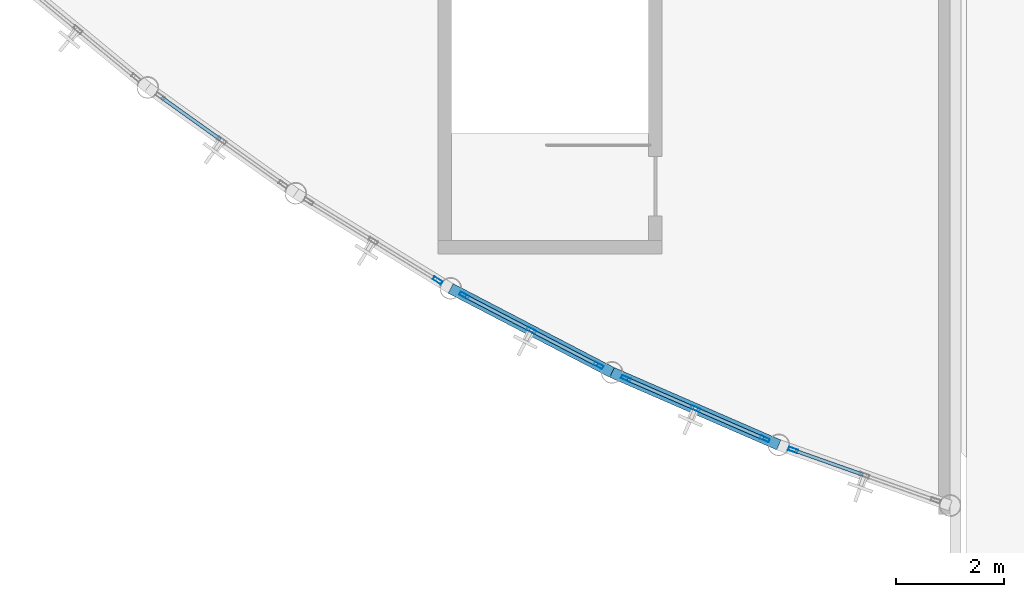
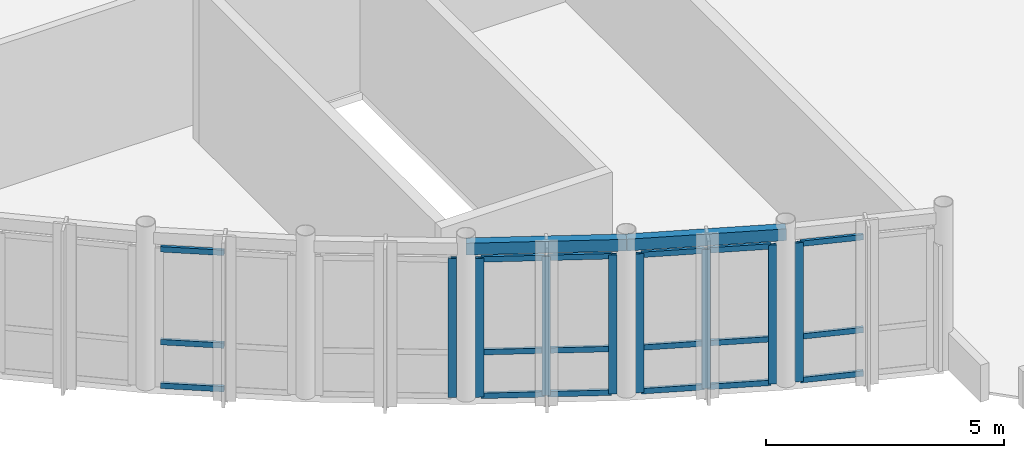
# One storey, part 13 of 54: 26 members, 2 beams, 5 elements without a shape of their own.
"""IFC4 building model written with IfcOpenShell, lengths in metres."""

from ifc_helpers import new_model, si_unit, direction, frame, origin, origin_2d, place, context, subcontext, project, spatial, hollow_rectangle, extrude, material, layer, layer_set, material_profile, profile_set, type_object, element, aggregate, save


model = new_model("IFC4")

# Units and contexts
model_context = context("Model", 3, precision=1e-05, world=origin(), true_north=direction((0.0, 1.0)))
body_context = subcontext(model_context, "Body", "Model", "MODEL_VIEW")
ifc_project = project(units=[si_unit("LENGTHUNIT", "METRE"), si_unit("AREAUNIT", "SQUARE_METRE"), si_unit("VOLUMEUNIT", "CUBIC_METRE"), si_unit("PLANEANGLEUNIT", "RADIAN"), si_unit("MASSUNIT", "GRAM", prefix="KILO")], contexts=[model_context])

# Site, building, storey
site_placement = place(None, origin())
site = spatial("IfcSite", under=ifc_project, at=site_placement, CompositionType="ELEMENT")
building_placement = place(site_placement, origin())
building = spatial("IfcBuilding", under=site, at=building_placement, Name="Selat Folded Stagehouse", CompositionType="ELEMENT")
storey_placement = place(building_placement, frame((0.0, 0.0, 15.0)))
storey = spatial("IfcBuildingStorey", under=building, at=storey_placement, Name="L03", CompositionType="ELEMENT", Elevation=15.0)

# Curtain wall, member
ifc_material_1 = material(Name="Aluminium 6063-T6", Category="aluminium")
ifc_layer = layer(ifc_material_1, 0.18505859375)
ifc_layer_set = layer_set([ifc_layer], Name="Aluminium 6063-T6")
curtain_wall_type = type_object("IfcCurtainWallType", Name="CW-DRM-UPPER", PredefinedType="NOTDEFINED", material=ifc_layer_set)
curtain_wall_1_placement = place(storey_placement, origin())
curtain_wall_1 = element("IfcCurtainWall", 1, at=curtain_wall_1_placement, inside=storey, type_object=curtain_wall_type, Name="L03 curtain wall CW-DRM-L03-16", PredefinedType="NOTDEFINED")
ifc_material_profile_1 = material_profile(ifc_material_1, hollow_rectangle(XDim=0.06494140625, YDim=0.179931640625, WallThickness=0.00390625, at=origin_2d()), Name="ALU 180x65x4.0")
ifc_profile_set_1 = profile_set([ifc_material_profile_1], Name="Aluminium 6063-T6")
member_type_1 = type_object("IfcMemberType", Name="CWM-MUL-180x65", PredefinedType="MULLION", material=ifc_profile_set_1)
member_1_placement = place(storey_placement, frame((24.10498046875, 6.380859375, 0.0), z_axis=(0.0, 0.0, 1.0), x_axis=(-0.523025427755, -0.852317078277, 0.0)))
member_1 = element("IfcMember", 2, at=member_1_placement, type_object=member_type_1, Name="CW-03 mullion 1", PredefinedType="MULLION", context=body_context, shape_type="SweptSolid", body=[
    extrude(hollow_rectangle(XDim=0.06494140625, YDim=0.179931640625, WallThickness=0.00390625, at=origin_2d()), origin(), (0.0, 0.0, 1.0), 3.56005859375),
])
aggregate(curtain_wall_1, [member_1])

# Curtain wall, members
curtain_wall_2_placement = place(storey_placement, origin())
curtain_wall_2 = element("IfcCurtainWall", 3, at=curtain_wall_2_placement, inside=storey, type_object=curtain_wall_type, Name="L03 curtain wall CW-DRM-L03-17", PredefinedType="NOTDEFINED")
member_2_placement = place(storey_placement, frame((27.083251953125, 4.80712890625, 0.0), z_axis=(0.0, 0.0, 1.0), x_axis=(-0.461930991659, -0.886915869147, 0.0)))
member_2 = element("IfcMember", 4, at=member_2_placement, type_object=member_type_1, Name="CW-03 mullion 1", PredefinedType="MULLION", context=body_context, shape_type="SweptSolid", body=[
    extrude(hollow_rectangle(XDim=0.06494140625, YDim=0.179931640625, WallThickness=0.00390625, at=origin_2d()), origin(), (0.0, 0.0, 1.0), 3.56005859375),
])
member_3_placement = place(storey_placement, frame((25.83984375, 5.454833984375, 0.0), z_axis=(0.0, 0.0, 1.0), x_axis=(-0.461930991659, -0.886915869147, 0.0)))
member_3 = element("IfcMember", 5, at=member_3_placement, type_object=member_type_1, Name="CW-03 mullion 2", PredefinedType="MULLION", context=body_context, shape_type="SweptSolid", body=[
    extrude(hollow_rectangle(XDim=0.06494140625, YDim=0.179931640625, WallThickness=0.00390625, at=origin_2d()), origin(), (0.0, 0.0, 1.0), 3.56005859375),
])
member_4_placement = place(storey_placement, frame((24.596435546875, 6.1025390625, 0.0), z_axis=(0.0, 0.0, 1.0), x_axis=(-0.461930991659, -0.886915869147, 0.0)))
member_4 = element("IfcMember", 6, at=member_4_placement, type_object=member_type_1, Name="CW-03 mullion 3", PredefinedType="MULLION", context=body_context, shape_type="SweptSolid", body=[
    extrude(hollow_rectangle(XDim=0.06494140625, YDim=0.179931640625, WallThickness=0.00390625, at=origin_2d()), origin(), (0.0, 0.0, 1.0), 3.56005859375),
])

curtain_wall_3_placement = place(storey_placement, origin())
curtain_wall_3 = element("IfcCurtainWall", 7, at=curtain_wall_3_placement, inside=storey, type_object=curtain_wall_type, Name="L03 curtain wall CW-DRM-L03-18", PredefinedType="NOTDEFINED")
member_5_placement = place(storey_placement, frame((30.16455078125, 3.446533203125, 0.0), z_axis=(0.0, 0.0, 1.0), x_axis=(-0.39857953336, -0.917133771915, 0.0)))
member_5 = element("IfcMember", 8, at=member_5_placement, type_object=member_type_1, Name="CW-03 mullion 1", PredefinedType="MULLION", context=body_context, shape_type="SweptSolid", body=[
    extrude(hollow_rectangle(XDim=0.06494140625, YDim=0.179931640625, WallThickness=0.00390625, at=origin_2d()), origin(), (0.0, 0.0, 1.0), 3.56005859375),
])
member_6_placement = place(storey_placement, frame((28.878662109375, 4.00537109375, 0.0), z_axis=(0.0, 0.0, 1.0), x_axis=(-0.39857953336, -0.917133771915, 0.0)))
member_6 = element("IfcMember", 9, at=member_6_placement, type_object=member_type_1, Name="CW-03 mullion 2", PredefinedType="MULLION", context=body_context, shape_type="SweptSolid", body=[
    extrude(hollow_rectangle(XDim=0.06494140625, YDim=0.179931640625, WallThickness=0.00390625, at=origin_2d()), origin(), (0.0, 0.0, 1.0), 3.56005859375),
])
member_7_placement = place(storey_placement, frame((27.593017578125, 4.56396484375, 0.0), z_axis=(0.0, 0.0, 1.0), x_axis=(-0.39857953336, -0.917133771915, 0.0)))
member_7 = element("IfcMember", 10, at=member_7_placement, type_object=member_type_1, Name="CW-03 mullion 3", PredefinedType="MULLION", context=body_context, shape_type="SweptSolid", body=[
    extrude(hollow_rectangle(XDim=0.06494140625, YDim=0.179931640625, WallThickness=0.00390625, at=origin_2d()), origin(), (0.0, 0.0, 1.0), 3.56005859375),
])

# Curtain wall, member
curtain_wall_4_placement = place(storey_placement, origin())
curtain_wall_4 = element("IfcCurtainWall", 11, at=curtain_wall_4_placement, inside=storey, type_object=curtain_wall_type, Name="L03 curtain wall CW-DRM-L03-19", PredefinedType="NOTDEFINED")
member_8_placement = place(storey_placement, frame((30.68994140625, 3.23974609375, 0.0), z_axis=(0.0, 0.0, 1.0), x_axis=(-0.333314148838, -0.942815824106, 0.0)))
member_8 = element("IfcMember", 12, at=member_8_placement, type_object=member_type_1, Name="CW-03 mullion 3", PredefinedType="MULLION", context=body_context, shape_type="SweptSolid", body=[
    extrude(hollow_rectangle(XDim=0.06494140625, YDim=0.179931640625, WallThickness=0.00390625, at=origin_2d()), origin(), (0.0, 0.0, 1.0), 3.56005859375),
])

# Curtain wall, members
curtain_wall_5_placement = place(storey_placement, origin())
curtain_wall_5 = element("IfcCurtainWall", 13, at=curtain_wall_5_placement, inside=storey, type_object=curtain_wall_type, Name="L03 curtain wall CW-DRM-L03-15", PredefinedType="NOTDEFINED")
ifc_material_profile_2 = material_profile(ifc_material_1, hollow_rectangle(XDim=0.06494140625, YDim=0.139892578125, WallThickness=0.00390625, at=origin_2d()), Name="ALU 140x65x4.0")
ifc_profile_set_2 = profile_set([ifc_material_profile_2], Name="Aluminium 6063-T6")
member_type_2 = type_object("IfcMemberType", Name="CWM-TRN-140x65", PredefinedType="USERDEFINED", material=ifc_profile_set_2)
member_9_placement = place(storey_placement, frame((20.07763671875, 8.99365234375, 0.032470703125), z_axis=(-0.813573030575, 0.581462745084, 0.0), x_axis=(-0.581462745084, -0.813573030575, 0.0)))
member_9 = element("IfcMember", 14, at=member_9_placement, type_object=member_type_2, Name="CW-03 transom 2.1", ObjectType="TRANSOM", PredefinedType="USERDEFINED", context=body_context, shape_type="SweptSolid", body=[
    extrude(hollow_rectangle(XDim=0.06494140625, YDim=0.139892578125, WallThickness=0.00390625, at=origin_2d()), origin(), (0.0, 0.0, 1.0), 1.3369140625),
])
member_10_placement = place(storey_placement, frame((20.07763671875, 8.99365234375, 1.14990234375), z_axis=(-0.813573030575, 0.581462745084, 0.0), x_axis=(-0.581462745084, -0.813573030575, 0.0)))
member_10 = element("IfcMember", 15, at=member_10_placement, type_object=member_type_2, Name="CW-03 transom 2.2", ObjectType="TRANSOM", PredefinedType="USERDEFINED", context=body_context, shape_type="SweptSolid", body=[
    extrude(hollow_rectangle(XDim=0.06494140625, YDim=0.139892578125, WallThickness=0.00390625, at=origin_2d()), origin(), (0.0, 0.0, 1.0), 1.3369140625),
])
member_11_placement = place(storey_placement, frame((20.07763671875, 8.99365234375, 3.527587890625), z_axis=(-0.813573030575, 0.581462745084, 0.0), x_axis=(-0.581462745084, -0.813573030575, 0.0)))
member_11 = element("IfcMember", 16, at=member_11_placement, type_object=member_type_2, Name="CW-03 transom 2.3", ObjectType="TRANSOM", PredefinedType="USERDEFINED", context=body_context, shape_type="SweptSolid", body=[
    extrude(hollow_rectangle(XDim=0.06494140625, YDim=0.139892578125, WallThickness=0.00390625, at=origin_2d()), origin(), (0.0, 0.0, 1.0), 1.3369140625),
])
aggregate(curtain_wall_5, [member_9, member_10, member_11])

# Member
member_12_placement = place(storey_placement, frame((27.054443359375, 4.822265625, 0.032470703125), z_axis=(-0.886890704679, 0.461979304681, 0.0), x_axis=(-0.461979304681, -0.886890704679, 0.0)))
member_12 = element("IfcMember", 17, at=member_12_placement, type_object=member_type_2, Name="CW-03 transom 1.1", ObjectType="TRANSOM", PredefinedType="USERDEFINED", context=body_context, shape_type="SweptSolid", body=[
    extrude(hollow_rectangle(XDim=0.06494140625, YDim=0.139892578125, WallThickness=0.00390625, at=origin_2d()), origin(), (0.0, 0.0, 1.0), 1.3369140625),
])

member_13_placement = place(storey_placement, frame((27.054443359375, 4.822265625, 1.14990234375), z_axis=(-0.886890704679, 0.461979304681, 0.0), x_axis=(-0.461979304681, -0.886890704679, 0.0)))
member_13 = element("IfcMember", 18, at=member_13_placement, type_object=member_type_2, Name="CW-03 transom 1.2", ObjectType="TRANSOM", PredefinedType="USERDEFINED", context=body_context, shape_type="SweptSolid", body=[
    extrude(hollow_rectangle(XDim=0.06494140625, YDim=0.139892578125, WallThickness=0.00390625, at=origin_2d()), origin(), (0.0, 0.0, 1.0), 1.3369140625),
])

member_14_placement = place(storey_placement, frame((27.054443359375, 4.822265625, 3.527587890625), z_axis=(-0.886890704679, 0.461979304681, 0.0), x_axis=(-0.461979304681, -0.886890704679, 0.0)))
member_14 = element("IfcMember", 19, at=member_14_placement, type_object=member_type_2, Name="CW-03 transom 1.3", ObjectType="TRANSOM", PredefinedType="USERDEFINED", context=body_context, shape_type="SweptSolid", body=[
    extrude(hollow_rectangle(XDim=0.06494140625, YDim=0.139892578125, WallThickness=0.00390625, at=origin_2d()), origin(), (0.0, 0.0, 1.0), 1.3369140625),
])

member_15_placement = place(storey_placement, frame((25.81103515625, 5.469970703125, 0.032470703125), z_axis=(-0.886965515382, 0.461835657484, 0.0), x_axis=(-0.461835657484, -0.886965515382, 0.0)))
member_15 = element("IfcMember", 20, at=member_15_placement, type_object=member_type_2, Name="CW-03 transom 2.1", ObjectType="TRANSOM", PredefinedType="USERDEFINED", context=body_context, shape_type="SweptSolid", body=[
    extrude(hollow_rectangle(XDim=0.06494140625, YDim=0.139892578125, WallThickness=0.00390625, at=origin_2d()), origin(), (0.0, 0.0, 1.0), 1.3369140625),
])

member_16_placement = place(storey_placement, frame((25.81103515625, 5.469970703125, 1.14990234375), z_axis=(-0.886965515382, 0.461835657484, 0.0), x_axis=(-0.461835657484, -0.886965515382, 0.0)))
member_16 = element("IfcMember", 21, at=member_16_placement, type_object=member_type_2, Name="CW-03 transom 2.2", ObjectType="TRANSOM", PredefinedType="USERDEFINED", context=body_context, shape_type="SweptSolid", body=[
    extrude(hollow_rectangle(XDim=0.06494140625, YDim=0.139892578125, WallThickness=0.00390625, at=origin_2d()), origin(), (0.0, 0.0, 1.0), 1.3369140625),
])

member_17_placement = place(storey_placement, frame((25.81103515625, 5.469970703125, 3.527587890625), z_axis=(-0.886965515382, 0.461835657484, 0.0), x_axis=(-0.461835657484, -0.886965515382, 0.0)))
member_17 = element("IfcMember", 22, at=member_17_placement, type_object=member_type_2, Name="CW-03 transom 2.3", ObjectType="TRANSOM", PredefinedType="USERDEFINED", context=body_context, shape_type="SweptSolid", body=[
    extrude(hollow_rectangle(XDim=0.06494140625, YDim=0.139892578125, WallThickness=0.00390625, at=origin_2d()), origin(), (0.0, 0.0, 1.0), 1.3369140625),
])

aggregate(curtain_wall_2, [member_2, member_3, member_4, member_12, member_13, member_14, member_15, member_16, member_17])

member_18_placement = place(storey_placement, frame((30.134765625, 3.45947265625, 0.032470703125), z_axis=(-0.917197741819, 0.398432305922, 0.0), x_axis=(-0.398432305922, -0.917197741819, 0.0)))
member_18 = element("IfcMember", 23, at=member_18_placement, type_object=member_type_2, Name="CW-03 transom 1.1", ObjectType="TRANSOM", PredefinedType="USERDEFINED", context=body_context, shape_type="SweptSolid", body=[
    extrude(hollow_rectangle(XDim=0.06494140625, YDim=0.139892578125, WallThickness=0.00390625, at=origin_2d()), origin(), (0.0, 0.0, 1.0), 1.3369140625),
])

member_19_placement = place(storey_placement, frame((30.134765625, 3.45947265625, 1.14990234375), z_axis=(-0.917197741819, 0.398432305922, 0.0), x_axis=(-0.398432305922, -0.917197741819, 0.0)))
member_19 = element("IfcMember", 24, at=member_19_placement, type_object=member_type_2, Name="CW-03 transom 1.2", ObjectType="TRANSOM", PredefinedType="USERDEFINED", context=body_context, shape_type="SweptSolid", body=[
    extrude(hollow_rectangle(XDim=0.06494140625, YDim=0.139892578125, WallThickness=0.00390625, at=origin_2d()), origin(), (0.0, 0.0, 1.0), 1.3369140625),
])

member_20_placement = place(storey_placement, frame((30.134765625, 3.45947265625, 3.527587890625), z_axis=(-0.917197741819, 0.398432305922, 0.0), x_axis=(-0.398432305922, -0.917197741819, 0.0)))
member_20 = element("IfcMember", 25, at=member_20_placement, type_object=member_type_2, Name="CW-03 transom 1.3", ObjectType="TRANSOM", PredefinedType="USERDEFINED", context=body_context, shape_type="SweptSolid", body=[
    extrude(hollow_rectangle(XDim=0.06494140625, YDim=0.139892578125, WallThickness=0.00390625, at=origin_2d()), origin(), (0.0, 0.0, 1.0), 1.3369140625),
])

member_21_placement = place(storey_placement, frame((28.848876953125, 4.018310546875, 0.032470703125), z_axis=(-0.91716874716, 0.398499045461, 0.0), x_axis=(-0.398499045461, -0.91716874716, 0.0)))
member_21 = element("IfcMember", 26, at=member_21_placement, type_object=member_type_2, Name="CW-03 transom 2.1", ObjectType="TRANSOM", PredefinedType="USERDEFINED", context=body_context, shape_type="SweptSolid", body=[
    extrude(hollow_rectangle(XDim=0.06494140625, YDim=0.139892578125, WallThickness=0.00390625, at=origin_2d()), origin(), (0.0, 0.0, 1.0), 1.3369140625),
])

member_22_placement = place(storey_placement, frame((28.848876953125, 4.018310546875, 1.14990234375), z_axis=(-0.91716874716, 0.398499045461, 0.0), x_axis=(-0.398499045461, -0.91716874716, 0.0)))
member_22 = element("IfcMember", 27, at=member_22_placement, type_object=member_type_2, Name="CW-03 transom 2.2", ObjectType="TRANSOM", PredefinedType="USERDEFINED", context=body_context, shape_type="SweptSolid", body=[
    extrude(hollow_rectangle(XDim=0.06494140625, YDim=0.139892578125, WallThickness=0.00390625, at=origin_2d()), origin(), (0.0, 0.0, 1.0), 1.3369140625),
])

member_23_placement = place(storey_placement, frame((28.848876953125, 4.018310546875, 3.527587890625), z_axis=(-0.91716874716, 0.398499045461, 0.0), x_axis=(-0.398499045461, -0.91716874716, 0.0)))
member_23 = element("IfcMember", 28, at=member_23_placement, type_object=member_type_2, Name="CW-03 transom 2.3", ObjectType="TRANSOM", PredefinedType="USERDEFINED", context=body_context, shape_type="SweptSolid", body=[
    extrude(hollow_rectangle(XDim=0.06494140625, YDim=0.139892578125, WallThickness=0.00390625, at=origin_2d()), origin(), (0.0, 0.0, 1.0), 1.3369140625),
])

aggregate(curtain_wall_3, [member_5, member_6, member_7, member_18, member_19, member_20, member_21, member_22, member_23])

member_24_placement = place(storey_placement, frame((31.981201171875, 2.783203125, 0.032470703125), z_axis=(-0.942831774674, 0.333269027461, 0.0), x_axis=(-0.333269027461, -0.942831774674, 0.0)))
member_24 = element("IfcMember", 29, at=member_24_placement, type_object=member_type_2, Name="CW-03 transom 2.1", ObjectType="TRANSOM", PredefinedType="USERDEFINED", context=body_context, shape_type="SweptSolid", body=[
    extrude(hollow_rectangle(XDim=0.06494140625, YDim=0.139892578125, WallThickness=0.00390625, at=origin_2d()), origin(), (0.0, 0.0, 1.0), 1.3369140625),
])

member_25_placement = place(storey_placement, frame((31.981201171875, 2.783203125, 1.14990234375), z_axis=(-0.942831774674, 0.333269027461, 0.0), x_axis=(-0.333269027461, -0.942831774674, 0.0)))
member_25 = element("IfcMember", 30, at=member_25_placement, type_object=member_type_2, Name="CW-03 transom 2.2", ObjectType="TRANSOM", PredefinedType="USERDEFINED", context=body_context, shape_type="SweptSolid", body=[
    extrude(hollow_rectangle(XDim=0.06494140625, YDim=0.139892578125, WallThickness=0.00390625, at=origin_2d()), origin(), (0.0, 0.0, 1.0), 1.3369140625),
])

member_26_placement = place(storey_placement, frame((31.981201171875, 2.783203125, 3.527587890625), z_axis=(-0.942831774674, 0.333269027461, 0.0), x_axis=(-0.333269027461, -0.942831774674, 0.0)))
member_26 = element("IfcMember", 31, at=member_26_placement, type_object=member_type_2, Name="CW-03 transom 2.3", ObjectType="TRANSOM", PredefinedType="USERDEFINED", context=body_context, shape_type="SweptSolid", body=[
    extrude(hollow_rectangle(XDim=0.06494140625, YDim=0.139892578125, WallThickness=0.00390625, at=origin_2d()), origin(), (0.0, 0.0, 1.0), 1.3369140625),
])

aggregate(curtain_wall_4, [member_8, member_24, member_25, member_26])

# Beams
ifc_material_2 = material(Name="Steel S355", Category="steel")
ifc_material_profile_3 = material_profile(ifc_material_2, hollow_rectangle(XDim=0.199951171875, YDim=0.300048828125, WallThickness=0.012451171875, at=origin_2d()), Name="RHS 300x200x12.5")
ifc_profile_set_3 = profile_set([ifc_material_profile_3], Name="Steel S355")
beam_type = type_object("IfcBeamType", Name="SPD-RHS-300x200", PredefinedType="SPANDREL", material=ifc_profile_set_3)
beam_1_placement = place(storey_placement, frame((24.345703125, 6.23291015625, 3.85009765625), z_axis=(0.886928310017, -0.461907104179, 0.0), x_axis=(0.461907104179, 0.886928310017, 0.0)))
element("IfcBeam", 32, at=beam_1_placement, inside=storey, type_object=beam_type, Name="L03 curved drum spandrel beam 18", PredefinedType="SPANDREL", context=body_context, shape_type="SweptSolid", body=[
    extrude(hollow_rectangle(XDim=0.199951171875, YDim=0.300048828125, WallThickness=0.012451171875, at=origin_2d()), origin(), (0.0, 0.0, 1.0), 3.368896484375),
])
beam_2_placement = place(storey_placement, frame((27.333740234375, 4.6767578125, 3.85009765625), z_axis=(0.91711267728, -0.39862806872, 0.0), x_axis=(0.39862806872, 0.91711267728, 0.0)))
element("IfcBeam", 33, at=beam_2_placement, inside=storey, type_object=beam_type, Name="L03 curved drum spandrel beam 19", PredefinedType="SPANDREL", context=body_context, shape_type="SweptSolid", body=[
    extrude(hollow_rectangle(XDim=0.199951171875, YDim=0.300048828125, WallThickness=0.012451171875, at=origin_2d()), origin(), (0.0, 0.0, 1.0), 3.369140625),
])

save(model, "model.ifc")
